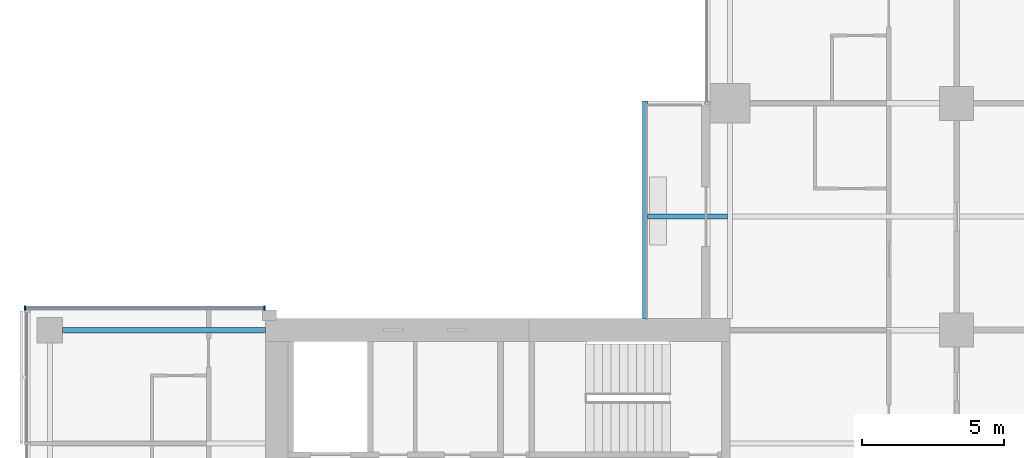
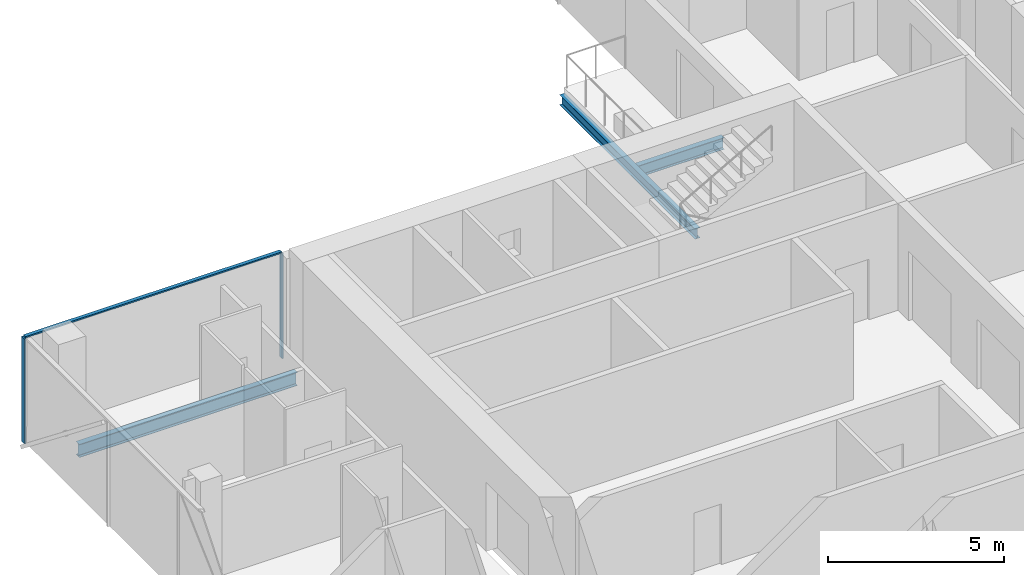
# One storey, part 8 of 29: 3 beams, 3 members, 1 element without a shape of its own.
"""IFC4 building model written with IfcOpenShell, lengths in metres."""

from ifc_helpers import new_model, si_unit, direction, frame, origin, origin_2d, place, context, subcontext, project, spatial, rectangle, i_section, extrude, material, material_profile, profile_set, type_object, element, aggregate, save


model = new_model("IFC4")

# Units and contexts
model_context = context("Model", 3, precision=1e-05, world=origin(), true_north=direction((0.0, 1.0)))
body_context = subcontext(model_context, "Body", "Model", "MODEL_VIEW")
ifc_project = project(units=[si_unit("LENGTHUNIT", "METRE"), si_unit("AREAUNIT", "SQUARE_METRE"), si_unit("VOLUMEUNIT", "CUBIC_METRE"), si_unit("PLANEANGLEUNIT", "RADIAN"), si_unit("MASSUNIT", "GRAM", prefix="KILO")], contexts=[model_context])

# Site, building, storey
site_placement = place(None, origin())
site = spatial("IfcSite", under=ifc_project, at=site_placement, CompositionType="ELEMENT")
building_placement = place(site_placement, origin())
building = spatial("IfcBuilding", under=site, at=building_placement, Name="Crosswind Convention Tower", CompositionType="ELEMENT")
storey_placement = place(building_placement, frame((0.0, 0.0, 57.199951171875)))
storey = spatial("IfcBuildingStorey", under=building, at=storey_placement, Name="L08", CompositionType="ELEMENT", Elevation=57.199951171875)

# Beams
ifc_material_1 = material(Name="Steel S355", Category="steel")
ifc_material_profile_1 = material_profile(ifc_material_1, i_section(OverallWidth=0.177734375, OverallDepth=0.406494140625, WebThickness=0.0078125, FlangeThickness=0.0126953125, FilletRadius=0.01025390625, at=origin_2d()), Name="UB 406x178x60")
ifc_profile_set_1 = profile_set([ifc_material_profile_1], Name="Steel S355")
beam_type_1 = type_object("IfcBeamType", Name="Balcony cantilever UB 406x178x60", PredefinedType="BEAM", material=ifc_profile_set_1)
beam_1_placement = place(storey_placement, frame((112.90478515625, 116.0, -0.483154296875), z_axis=(-1.0, 0.0, 0.0), x_axis=(0.0, -1.0, 0.0)))
element("IfcBeam", 1, at=beam_1_placement, inside=storey, type_object=beam_type_1, Name="B35 L08 balcony cantilever NW 4", PredefinedType="BEAM", context=body_context, shape_type="SweptSolid", body=[
    extrude(i_section(OverallWidth=0.177734375, OverallDepth=0.406494140625, WebThickness=0.0078125, FlangeThickness=0.0126953125, FilletRadius=0.01025390625, at=origin_2d()), origin(), (0.0, 0.0, 1.0), 2.8193359375),
])
ifc_material_profile_2 = material_profile(ifc_material_1, i_section(OverallWidth=0.1708984375, OverallDepth=0.35205078125, WebThickness=0.0068359375, FlangeThickness=0.009765625, FilletRadius=0.01025390625, at=origin_2d()), Name="UB 356x171x45")
ifc_profile_set_2 = profile_set([ifc_material_profile_2], Name="Steel S355")
beam_type_2 = type_object("IfcBeamType", Name="Balcony edge beam UB 356x171x45", PredefinedType="BEAM", material=ifc_profile_set_2)
beam_2_placement = place(storey_placement, frame((110.0, 112.39990234375, -0.4560546875), z_axis=(0.0, 1.0, 0.0), x_axis=(-1.0, 0.0, 0.0)))
element("IfcBeam", 2, at=beam_2_placement, inside=storey, type_object=beam_type_2, Name="B37 L08 balcony edge beam NW 6", PredefinedType="BEAM", context=body_context, shape_type="SweptSolid", body=[
    extrude(i_section(OverallWidth=0.1708984375, OverallDepth=0.35205078125, WebThickness=0.0068359375, FlangeThickness=0.009765625, FilletRadius=0.01025390625, at=origin_2d()), origin(), (0.0, 0.0, 1.0), 7.68896484375),
])
ifc_material_profile_3 = material_profile(ifc_material_1, i_section(OverallWidth=0.1904296875, OverallDepth=0.457275390625, WebThickness=0.009033203125, FlangeThickness=0.014404296875, FilletRadius=0.01025390625, at=origin_2d()), Name="UB 457x191x75")
ifc_profile_set_3 = profile_set([ifc_material_profile_3], Name="Steel S355")
beam_type_3 = type_object("IfcBeamType", Name="Edge beam UB 457x191x75", PredefinedType="SPANDREL", material=ifc_profile_set_3)
beam_3_placement = place(storey_placement, frame((89.449951171875, 112.0, -0.508544921875), z_axis=(1.0, 0.0, 0.0), x_axis=(0.0, 1.0, 0.0)))
element("IfcBeam", 3, at=beam_3_placement, inside=storey, type_object=beam_type_3, Name="B17 L08 edge beam 5", PredefinedType="SPANDREL", context=body_context, shape_type="SweptSolid", body=[
    extrude(i_section(OverallWidth=0.1904296875, OverallDepth=0.457275390625, WebThickness=0.009033203125, FlangeThickness=0.014404296875, FilletRadius=0.01025390625, at=origin_2d()), origin(), (0.0, 0.0, 1.0), 7.150146484375),
])

# Curtain wall, members
ifc_material_2 = material(Name="Aluminium unitised curtain wall", Category="aluminium")
curtain_wall_type = type_object("IfcCurtainWallType", Name="CORE END SLOT WALL 160", PredefinedType="USERDEFINED", material=ifc_material_2)
curtain_wall_placement = place(storey_placement, origin())
curtain_wall = element("IfcCurtainWall", 4, at=curtain_wall_placement, inside=storey, type_object=curtain_wall_type, Name="CW6 L08 W-N.2-1 slot", ObjectType="UNITISED", PredefinedType="USERDEFINED")
ifc_material_3 = material(Name="Aluminium mullion", Category="aluminium")
ifc_material_profile_4 = material_profile(ifc_material_3, rectangle(XDim=0.159912109375, YDim=0.050048828125, at=origin_2d()), Name="AL 160X50")
ifc_profile_set_4 = profile_set([ifc_material_profile_4], Name="Aluminium mullion")
member_type_1 = type_object("IfcMemberType", Name="MULLION 50X160", PredefinedType="MULLION", material=ifc_profile_set_4)
member_1_placement = place(storey_placement, frame((96.574951171875, 112.780029296875, -0.280029296875), z_axis=(0.0, 0.0, 1.0), x_axis=(0.0, 1.0, 0.0)))
member_1 = element("IfcMember", 5, at=member_1_placement, type_object=member_type_1, Name="CW6 mullion 1", PredefinedType="MULLION", context=body_context, shape_type="SweptSolid", body=[
    extrude(rectangle(XDim=0.159912109375, YDim=0.050048828125, at=origin_2d()), origin(), (0.0, 0.0, 1.0), 3.650146484375),
])
member_2_placement = place(storey_placement, frame((88.125, 112.780029296875, -0.280029296875), z_axis=(0.0, 0.0, 1.0), x_axis=(0.0, 1.0, 0.0)))
member_2 = element("IfcMember", 6, at=member_2_placement, type_object=member_type_1, Name="CW6 mullion 2", PredefinedType="MULLION", context=body_context, shape_type="SweptSolid", body=[
    extrude(rectangle(XDim=0.159912109375, YDim=0.050048828125, at=origin_2d()), origin(), (0.0, 0.0, 1.0), 3.650146484375),
])
ifc_material_4 = material(Name="Aluminium transom", Category="aluminium")
ifc_material_profile_5 = material_profile(ifc_material_4, rectangle(XDim=0.1201171875, YDim=0.050048828125, at=origin_2d()), Name="AL 120X50")
ifc_profile_set_5 = profile_set([ifc_material_profile_5], Name="Aluminium transom")
member_type_2 = type_object("IfcMemberType", Name="TRANSOM 50X120", PredefinedType="USERDEFINED", material=ifc_profile_set_5)
member_3_placement = place(storey_placement, frame((96.550048828125, 112.780029296875, 3.39501953125), z_axis=(-1.0, 0.0, 0.0), x_axis=(0.0, -1.0, 0.0)))
member_3 = element("IfcMember", 7, at=member_3_placement, type_object=member_type_2, Name="CW6 transom", ObjectType="TRANSOM", PredefinedType="USERDEFINED", context=body_context, shape_type="SweptSolid", body=[
    extrude(rectangle(XDim=0.1201171875, YDim=0.050048828125, at=origin_2d()), origin(), (0.0, 0.0, 1.0), 8.400146484375),
])
aggregate(curtain_wall, [member_1, member_2, member_3])

save(model, "model.ifc")
